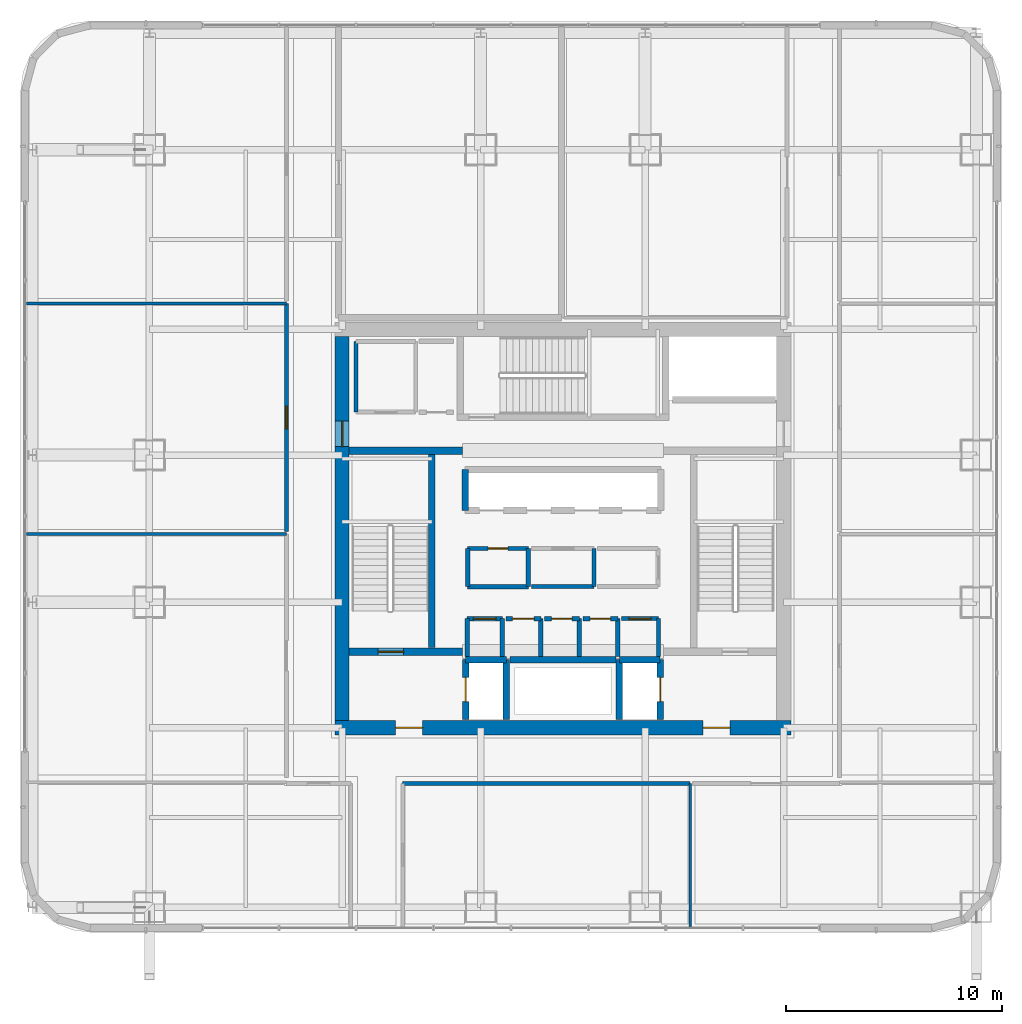
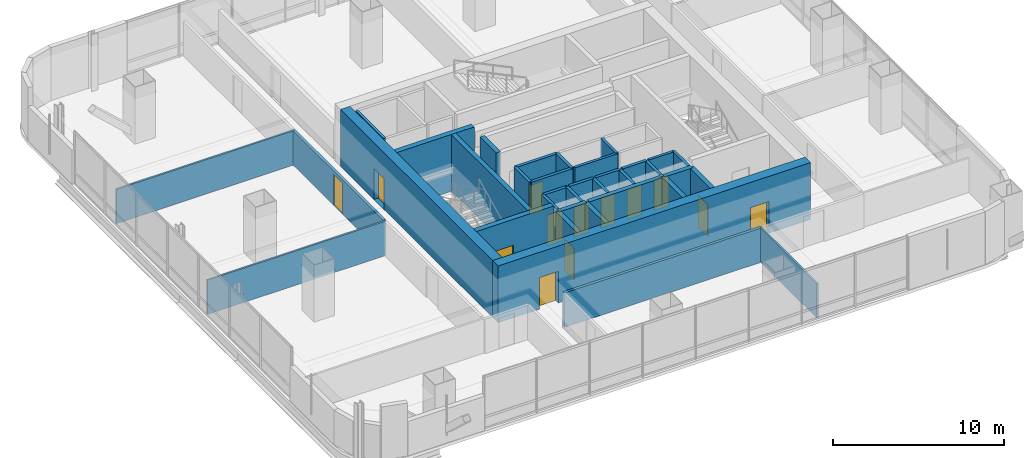
# One storey, part 33 of 47: 36 walls, 13 doors, 13 openings.
"""IFC4 building model written with IfcOpenShell, lengths in metres."""

from ifc_helpers import new_model, si_unit, direction, frame, frame_2d, origin, place, context, subcontext, project, spatial, rectangle, extrude, material, layer, layer_set, type_object, element, fill, save


model = new_model("IFC4")

# Units and contexts
model_context = context("Model", 3, precision=1e-05, world=origin(), true_north=direction((0.0, 1.0)))
body_context = subcontext(model_context, "Body", "Model", "MODEL_VIEW")
ifc_project = project(units=[si_unit("LENGTHUNIT", "METRE"), si_unit("AREAUNIT", "SQUARE_METRE"), si_unit("VOLUMEUNIT", "CUBIC_METRE"), si_unit("PLANEANGLEUNIT", "RADIAN"), si_unit("MASSUNIT", "GRAM", prefix="KILO")], contexts=[model_context])

# Site, building, storey
site_placement = place(None, origin())
site = spatial("IfcSite", under=ifc_project, at=site_placement, CompositionType="ELEMENT")
building_placement = place(site_placement, origin())
building = spatial("IfcBuilding", under=site, at=building_placement, Name="Punatoya Terracotta Tower", CompositionType="ELEMENT")
storey_placement = place(building_placement, frame((0.0, 0.0, 168.14990234375)))
storey = spatial("IfcBuildingStorey", under=building, at=storey_placement, Name="L39", CompositionType="ELEMENT", Elevation=168.14990234375)

# Wall, openings, doors
ifc_material_1 = material(Name="Concrete C60/75", Category="concrete")
ifc_layer_1 = layer(ifc_material_1, 0.64990234375)
ifc_layer_set_1 = layer_set([ifc_layer_1], Name="Concrete C60/75")
wall_type_1 = type_object("IfcWallType", Name="WL-COR-650", PredefinedType="SHEAR", material=ifc_layer_set_1)
wall_1_placement = place(storey_placement, frame((10.52490234375, -9.199951171875, 0.0), z_axis=(0.0, 0.0, 1.0), x_axis=(-1.0, 0.0, 0.0)))
wall_1 = element("IfcWall", 1, at=wall_1_placement, inside=storey, type_object=wall_type_1, Name="L39 Core Shear Wall S", PredefinedType="SHEAR", context=body_context, shape_type="SweptSolid", body=[
    extrude(rectangle(XDim=21.0498046875, YDim=0.64990234375, at=frame_2d((10.52490234375, 0.0))), origin(), (0.0, 0.0, 1.0), 4.050048828125),
])
opening_1_placement = place(wall_1_placement, frame((2.800048828125, 0.0, 0.0)))
opening_1 = element("IfcOpeningElement", 2, at=opening_1_placement, cuts=wall_1, Name="Opening FD-L1", PredefinedType="OPENING", context=body_context, shape_type="SweptSolid", body=[
    extrude(rectangle(XDim=1.25, YDim=2.25, at=frame_2d((0.625, 1.125))), frame((0.0, 0.3349609375, 0.0), z_axis=(0.0, -1.0, 0.0), x_axis=(1.0, 0.0, 0.0)), (0.0, 0.0, 1.0), 0.669921875),
])
opening_2_placement = place(wall_1_placement, frame((17.0, 0.0, 0.0)))
opening_2 = element("IfcOpeningElement", 3, at=opening_2_placement, cuts=wall_1, Name="Opening FD-L1", PredefinedType="OPENING", context=body_context, shape_type="SweptSolid", body=[
    extrude(rectangle(XDim=1.25, YDim=2.25, at=frame_2d((0.625, 1.125))), frame((0.0, 0.3349609375, 0.0), z_axis=(0.0, -1.0, 0.0), x_axis=(1.0, 0.0, 0.0)), (0.0, 0.0, 1.0), 0.669921875),
])
ifc_material_2 = material(Name="Galvanised Steel Smokeproof Fire Door", Category="steel")
door_type_1 = type_object("IfcDoorType", Name="DR-FFL-1250", OperationType="NOTDEFINED", PredefinedType="DOOR", material=ifc_material_2)
door_1_placement = place(opening_1_placement, origin())
door_1 = element("IfcDoor", 4, at=door_1_placement, inside=storey, type_object=door_type_1, Name="L39 East Firefighting Lobby Corridor Fire Door", OperationType="SINGLE_SWING_LEFT", OverallHeight=2.25, OverallWidth=1.25, PredefinedType="DOOR", context=body_context, shape_type="SweptSolid", body=[
    extrude(rectangle(XDim=1.25, YDim=2.25, at=frame_2d((0.625, 1.125))), frame((0.0, 0.02490234375, 0.0), z_axis=(0.0, -1.0, 0.0), x_axis=(1.0, 0.0, 0.0)), (0.0, 0.0, 1.0), 0.050048828125),
])
fill(opening_1, door_1)
door_2_placement = place(opening_2_placement, origin())
door_2 = element("IfcDoor", 5, at=door_2_placement, inside=storey, type_object=door_type_1, Name="L39 West Firefighting Lobby Corridor Fire Door", OperationType="SINGLE_SWING_RIGHT", OverallHeight=2.25, OverallWidth=1.25, PredefinedType="DOOR", context=body_context, shape_type="SweptSolid", body=[
    extrude(rectangle(XDim=1.25, YDim=2.25, at=frame_2d((0.625, 1.125))), frame((0.0, 0.02490234375, 0.0), z_axis=(0.0, -1.0, 0.0), x_axis=(1.0, 0.0, 0.0)), (0.0, 0.0, 1.0), 0.050048828125),
])
fill(opening_2, door_2)

# Wall, opening, door
wall_2_placement = place(storey_placement, frame((-10.199951171875, -8.875, 0.0), z_axis=(0.0, 0.0, 1.0), x_axis=(0.0, 1.0, 0.0)))
wall_2 = element("IfcWall", 6, at=wall_2_placement, inside=storey, type_object=wall_type_1, Name="L39 Core Shear Wall W", PredefinedType="SHEAR", context=body_context, shape_type="SweptSolid", body=[
    extrude(rectangle(XDim=17.75, YDim=0.64990234375, at=frame_2d((8.875, 0.0))), origin(), (0.0, 0.0, 1.0), 4.050048828125),
])
opening_3_placement = place(wall_2_placement, frame((12.6650390625, 0.0, 0.0)))
opening_3 = element("IfcOpeningElement", 7, at=opening_3_placement, cuts=wall_2, Name="Opening SD-01", PredefinedType="OPENING", context=body_context, shape_type="SweptSolid", body=[
    extrude(rectangle(XDim=1.179931640625, YDim=2.199951171875, at=frame_2d((0.58984375, 1.10009765625))), frame((0.0, 0.3349609375, 0.0), z_axis=(0.0, -1.0, 0.0), x_axis=(1.0, 0.0, 0.0)), (0.0, 0.0, 1.0), 0.669921875),
])
ifc_material_3 = material(Name="Galvanised Steel Pressurized Stair Fire Door", Category="steel")
door_type_2 = type_object("IfcDoorType", Name="DR-STR-1180", OperationType="NOTDEFINED", PredefinedType="DOOR", material=ifc_material_3)
door_3_placement = place(opening_3_placement, origin())
door_3 = element("IfcDoor", 8, at=door_3_placement, inside=storey, type_object=door_type_2, Name="L39 Central Lift Lobby West Fire Door", OperationType="SINGLE_SWING_LEFT", OverallHeight=2.199951171875, OverallWidth=1.179931640625, PredefinedType="DOOR", context=body_context, shape_type="SweptSolid", body=[
    extrude(rectangle(XDim=1.179931640625, YDim=2.199951171875, at=frame_2d((0.58984375, 1.10009765625))), frame((0.0, 0.02490234375, 0.0), z_axis=(0.0, -1.0, 0.0), x_axis=(1.0, 0.0, 0.0)), (0.0, 0.0, 1.0), 0.050048828125),
])
fill(opening_3, door_3)

# Wall
ifc_material_4 = material(Name="Gypsum Fireboard + Steel Stud", Category="steel")
ifc_layer_2 = layer(ifc_material_4, 0.179931640625)
ifc_layer_set_2 = layer_set([ifc_layer_2], Name="Gypsum Fireboard + Steel Stud")
wall_type_2 = type_object("IfcWallType", Name="WL-CORR-180", PredefinedType="PARTITIONING", material=ifc_layer_set_2)
wall_3_placement = place(storey_placement, frame((4.419921875, -5.89990234375, 0.0), z_axis=(0.0, 0.0, 1.0), x_axis=(0.0, 1.0, 0.0)))
element("IfcWall", 9, at=wall_3_placement, inside=storey, type_object=wall_type_2, Name="L39 Core Focus Booth Partition 10", PredefinedType="PARTITIONING", context=body_context, shape_type="SweptSolid", body=[
    extrude(rectangle(XDim=1.739990234375, YDim=0.179931640625, at=frame_2d((0.8701171875, 0.0))), origin(), (0.0, 0.0, 1.0), 3.77001953125),
])

# Wall, opening, door
wall_4_placement = place(storey_placement, frame((4.419921875, -4.159912109375, 0.0), z_axis=(0.0, 0.0, 1.0), x_axis=(-1.0, 0.0, 0.0)))
wall_4 = element("IfcWall", 10, at=wall_4_placement, inside=storey, type_object=wall_type_2, Name="L39 Core Focus Booth Partition 11", PredefinedType="PARTITIONING", context=body_context, shape_type="SweptSolid", body=[
    extrude(rectangle(XDim=1.719970703125, YDim=0.179931640625, at=frame_2d((0.85986328125, 0.0))), origin(), (0.0, 0.0, 1.0), 3.77001953125),
])
opening_4_placement = place(wall_4_placement, frame((0.35009765625, 0.0, 0.0)))
opening_4 = element("IfcOpeningElement", 11, at=opening_4_placement, cuts=wall_4, Name="Opening MD-01", PredefinedType="OPENING", context=body_context, shape_type="SweptSolid", body=[
    extrude(rectangle(XDim=1.02001953125, YDim=2.199951171875, at=frame_2d((0.510009765625, 1.10009765625))), frame((0.0, 0.099853515625, 0.0), z_axis=(0.0, -1.0, 0.0), x_axis=(1.0, 0.0, 0.0)), (0.0, 0.0, 1.0), 0.199951171875),
])
ifc_material_5 = material(Name="Aluminium + Acoustic Glass Leaf", Category="aluminium")
door_type_3 = type_object("IfcDoorType", Name="DR-MTG-1020", OperationType="NOTDEFINED", PredefinedType="DOOR", material=ifc_material_5)
door_4_placement = place(opening_4_placement, origin())
door_4 = element("IfcDoor", 12, at=door_4_placement, inside=storey, type_object=door_type_3, Name="L39 Focus Booth Door", OperationType="SINGLE_SWING_RIGHT", OverallHeight=2.199951171875, OverallWidth=1.02001953125, PredefinedType="DOOR", context=body_context, shape_type="SweptSolid", body=[
    extrude(rectangle(XDim=1.02001953125, YDim=2.199951171875, at=frame_2d((0.510009765625, 1.10009765625))), frame((0.0, 0.02490234375, 0.0), z_axis=(0.0, -1.0, 0.0), x_axis=(1.0, 0.0, 0.0)), (0.0, 0.0, 1.0), 0.050048828125),
])
fill(opening_4, door_4)

# Walls
wall_5_placement = place(storey_placement, frame((1.43994140625, -2.679931640625, 0.0), z_axis=(0.0, 0.0, 1.0), x_axis=(0.0, 1.0, 0.0)))
element("IfcWall", 13, at=wall_5_placement, inside=storey, type_object=wall_type_2, Name="L39 Center Core Briefing Pod Partition 16", PredefinedType="PARTITIONING", context=body_context, shape_type="SweptSolid", body=[
    extrude(rectangle(XDim=1.760009765625, YDim=0.179931640625, at=frame_2d((0.8798828125, 0.0))), origin(), (0.0, 0.0, 1.0), 3.77001953125),
])
wall_6_placement = place(storey_placement, frame((-1.43994140625, -2.679931640625, 0.0), z_axis=(0.0, 0.0, 1.0), x_axis=(1.0, 0.0, 0.0)))
element("IfcWall", 14, at=wall_6_placement, inside=storey, type_object=wall_type_2, Name="L39 Center Core Briefing Pod Partition 18", PredefinedType="PARTITIONING", context=body_context, shape_type="SweptSolid", body=[
    extrude(rectangle(XDim=2.8798828125, YDim=0.179931640625, at=frame_2d((1.43994140625, 0.0))), origin(), (0.0, 0.0, 1.0), 3.77001953125),
])
wall_7_placement = place(storey_placement, frame((-9.550048828125, 8.64990234375, 0.0), z_axis=(0.0, 0.0, 1.0), x_axis=(0.0, -1.0, 0.0)))
element("IfcWall", 15, at=wall_7_placement, inside=storey, type_object=wall_type_2, Name="L39 West Core Briefing Pod Partition 24", PredefinedType="PARTITIONING", context=body_context, shape_type="SweptSolid", body=[
    extrude(rectangle(XDim=3.27001953125, YDim=0.179931640625, at=frame_2d((1.635009765625, 0.0))), origin(), (0.0, 0.0, 1.0), 3.77001953125),
])
wall_8_placement = place(storey_placement, frame((-7.39990234375, -11.77001953125, 0.0), z_axis=(0.0, 0.0, 1.0), x_axis=(1.0, 0.0, 0.0)))
element("IfcWall", 16, at=wall_8_placement, inside=storey, type_object=wall_type_2, Name="L39 Open-Plan Staff Wellness Studio Partition 29", PredefinedType="PARTITIONING", context=body_context, shape_type="SweptSolid", body=[
    extrude(rectangle(XDim=13.27392578125, YDim=0.179931640625, at=frame_2d((6.636962890625, 0.0))), origin(), (0.0, 0.0, 1.0), 2.444091796875),
])

# Wall, opening, door
wall_9_placement = place(storey_placement, frame((-12.77001953125, 10.39990234375, 0.0), z_axis=(0.0, 0.0, 1.0), x_axis=(0.0, -1.0, 0.0)))
wall_9 = element("IfcWall", 17, at=wall_9_placement, inside=storey, type_object=wall_type_2, Name="L39 Open-Plan Mindfulness Wellness Room Partition 41", PredefinedType="PARTITIONING", context=body_context, shape_type="SweptSolid", body=[
    extrude(rectangle(XDim=10.52978515625, YDim=0.179931640625, at=frame_2d((5.264892578125, 0.0))), origin(), (0.0, 0.0, 1.0), 2.444091796875),
])
opening_5_placement = place(wall_9_placement, frame((4.739990234375, 0.0, 0.0)))
opening_5 = element("IfcOpeningElement", 18, at=opening_5_placement, cuts=wall_9, Name="Opening OD-01", PredefinedType="OPENING", context=body_context, shape_type="SweptSolid", body=[
    extrude(rectangle(XDim=1.050048828125, YDim=2.199951171875, at=frame_2d((0.52490234375, 1.10009765625))), frame((0.0, 0.099853515625, 0.0), z_axis=(0.0, -1.0, 0.0), x_axis=(1.0, 0.0, 0.0)), (0.0, 0.0, 1.0), 0.199951171875),
])
ifc_material_6 = material(Name="Bengal Teak Solid-Core Leaf")
door_type_4 = type_object("IfcDoorType", Name="DR-OFF-1050", OperationType="NOTDEFINED", PredefinedType="DOOR", material=ifc_material_6)
door_5_placement = place(opening_5_placement, origin())
door_5 = element("IfcDoor", 19, at=door_5_placement, inside=storey, type_object=door_type_4, Name="L39 Open-Plan Mindfulness Wellness Room Door", OperationType="SINGLE_SWING_LEFT", OverallHeight=2.199951171875, OverallWidth=1.050048828125, PredefinedType="DOOR", context=body_context, shape_type="SweptSolid", body=[
    extrude(rectangle(XDim=1.050048828125, YDim=2.199951171875, at=frame_2d((0.52490234375, 1.10009765625))), frame((0.0, 0.02490234375, 0.0), z_axis=(0.0, -1.0, 0.0), x_axis=(1.0, 0.0, 0.0)), (0.0, 0.0, 1.0), 0.050048828125),
])
fill(opening_5, door_5)

# Wall
ifc_material_7 = material(Name="Concrete C40/50", Category="concrete")
ifc_layer_3 = layer(ifc_material_7, 0.199951171875)
ifc_layer_set_3 = layer_set([ifc_layer_3], Name="Concrete C40/50")
wall_type_3 = type_object("IfcWallType", Name="WL-INT-200", PredefinedType="SOLIDWALL", material=ifc_layer_set_3)
wall_10_placement = place(storey_placement, frame((-2.800048828125, -5.89990234375, 0.0), z_axis=(0.0, 0.0, 1.0), x_axis=(0.0, 1.0, 0.0)))
element("IfcWall", 20, at=wall_10_placement, inside=storey, type_object=wall_type_3, Name="L39 Core Tea Pantry Partition 01", PredefinedType="SOLIDWALL", context=body_context, shape_type="SweptSolid", body=[
    extrude(rectangle(XDim=1.739990234375, YDim=0.199951171875, at=frame_2d((0.8701171875, 0.0))), origin(), (0.0, 0.0, 1.0), 3.77001953125),
])

# Wall, opening, door
wall_11_placement = place(storey_placement, frame((-2.800048828125, -4.159912109375, 0.0), z_axis=(0.0, 0.0, 1.0), x_axis=(-1.0, 0.0, 0.0)))
wall_11 = element("IfcWall", 21, at=wall_11_placement, inside=storey, type_object=wall_type_3, Name="L39 Core Tea Pantry Partition 02", PredefinedType="SOLIDWALL", context=body_context, shape_type="SweptSolid", body=[
    extrude(rectangle(XDim=1.619873046875, YDim=0.199951171875, at=frame_2d((0.81005859375, 0.0))), origin(), (0.0, 0.0, 1.0), 3.77001953125),
])
opening_6_placement = place(wall_11_placement, frame((0.284912109375, 0.0, 0.0)))
opening_6 = element("IfcOpeningElement", 22, at=opening_6_placement, cuts=wall_11, Name="Opening OD-01", PredefinedType="OPENING", context=body_context, shape_type="SweptSolid", body=[
    extrude(rectangle(XDim=1.050048828125, YDim=2.199951171875, at=frame_2d((0.52490234375, 1.10009765625))), frame((0.0, 0.10986328125, 0.0), z_axis=(0.0, -1.0, 0.0), x_axis=(1.0, 0.0, 0.0)), (0.0, 0.0, 1.0), 0.219970703125),
])
door_6_placement = place(opening_6_placement, origin())
door_6 = element("IfcDoor", 23, at=door_6_placement, inside=storey, type_object=door_type_4, Name="L39 Tea Pantry Door", OperationType="SINGLE_SWING_RIGHT", OverallHeight=2.199951171875, OverallWidth=1.050048828125, PredefinedType="DOOR", context=body_context, shape_type="SweptSolid", body=[
    extrude(rectangle(XDim=1.050048828125, YDim=2.199951171875, at=frame_2d((0.52490234375, 1.10009765625))), frame((0.0, 0.02490234375, 0.0), z_axis=(0.0, -1.0, 0.0), x_axis=(1.0, 0.0, 0.0)), (0.0, 0.0, 1.0), 0.050048828125),
])
fill(opening_6, door_6)

# Walls
for number, where, z_axis, x_axis, name in (
    (24, (-4.419921875, -4.159912109375, 0.0), (0.0, 0.0, 1.0), (0.0, -1.0, 0.0), "L39 Core Tea Pantry Partition 03"),
    (25, (-1.02001953125, -5.89990234375, 0.0), (0.0, 0.0, 1.0), (0.0, 1.0, 0.0), "L39 Accessible Washroom Partition 04"),
):
    element("IfcWall", number, at=place(storey_placement, frame(where, z_axis=z_axis, x_axis=x_axis)), inside=storey, type_object=wall_type_3, Name=name, PredefinedType="SOLIDWALL", context=body_context, shape_type="SweptSolid", body=[
        extrude(rectangle(XDim=1.739990234375, YDim=0.199951171875, at=frame_2d((0.8701171875, 0.0))), origin(), (0.0, 0.0, 1.0), 3.77001953125),
    ])

# Wall, opening, door
wall_12_placement = place(storey_placement, frame((-1.02001953125, -4.159912109375, 0.0), z_axis=(0.0, 0.0, 1.0), x_axis=(-1.0, 0.0, 0.0)))
wall_12 = element("IfcWall", 26, at=wall_12_placement, inside=storey, type_object=wall_type_3, Name="L39 Accessible Washroom Partition 05", PredefinedType="SOLIDWALL", context=body_context, shape_type="SweptSolid", body=[
    extrude(rectangle(XDim=1.619873046875, YDim=0.199951171875, at=frame_2d((0.81005859375, 0.0))), origin(), (0.0, 0.0, 1.0), 3.77001953125),
])
opening_7_placement = place(wall_12_placement, frame((0.31005859375, 0.0, 0.0)))
opening_7 = element("IfcOpeningElement", 27, at=opening_7_placement, cuts=wall_12, Name="Opening AWD-1", PredefinedType="OPENING", context=body_context, shape_type="SweptSolid", body=[
    extrude(rectangle(XDim=1.0, YDim=2.14990234375, at=frame_2d((0.5, 1.074951171875))), frame((0.0, 0.10986328125, 0.0), z_axis=(0.0, -1.0, 0.0), x_axis=(1.0, 0.0, 0.0)), (0.0, 0.0, 1.0), 0.219970703125),
])
ifc_material_8 = material(Name="Bengal Teak Accessible WC Leaf")
door_type_5 = type_object("IfcDoorType", Name="DR-ACC-1000", OperationType="NOTDEFINED", PredefinedType="DOOR", material=ifc_material_8)
door_7_placement = place(opening_7_placement, origin())
door_7 = element("IfcDoor", 28, at=door_7_placement, inside=storey, type_object=door_type_5, Name="L39 Accessible Washroom Door", OperationType="SINGLE_SWING_LEFT", OverallHeight=2.14990234375, OverallWidth=1.0, PredefinedType="DOOR", context=body_context, shape_type="SweptSolid", body=[
    extrude(rectangle(XDim=1.0, YDim=2.14990234375, at=frame_2d((0.5, 1.074951171875))), frame((0.0, 0.02490234375, 0.0), z_axis=(0.0, -1.0, 0.0), x_axis=(1.0, 0.0, 0.0)), (0.0, 0.0, 1.0), 0.050048828125),
])
fill(opening_7, door_7)

# Wall
wall_13_placement = place(storey_placement, frame((0.760009765625, -5.89990234375, 0.0), z_axis=(0.0, 0.0, 1.0), x_axis=(0.0, 1.0, 0.0)))
element("IfcWall", 29, at=wall_13_placement, inside=storey, type_object=wall_type_3, Name="L39 Female Washroom Partition 06", PredefinedType="SOLIDWALL", context=body_context, shape_type="SweptSolid", body=[
    extrude(rectangle(XDim=1.739990234375, YDim=0.199951171875, at=frame_2d((0.8701171875, 0.0))), origin(), (0.0, 0.0, 1.0), 3.77001953125),
])

# Wall, opening, door
wall_14_placement = place(storey_placement, frame((0.760009765625, -4.159912109375, 0.0), z_axis=(0.0, 0.0, 1.0), x_axis=(-1.0, 0.0, 0.0)))
wall_14 = element("IfcWall", 30, at=wall_14_placement, inside=storey, type_object=wall_type_3, Name="L39 Female Washroom Partition 07", PredefinedType="SOLIDWALL", context=body_context, shape_type="SweptSolid", body=[
    extrude(rectangle(XDim=1.6201171875, YDim=0.199951171875, at=frame_2d((0.81005859375, 0.0))), origin(), (0.0, 0.0, 1.0), 3.77001953125),
])
opening_8_placement = place(wall_14_placement, frame((0.3349609375, 0.0, 0.0)))
opening_8 = element("IfcOpeningElement", 31, at=opening_8_placement, cuts=wall_14, Name="Opening WD-01", PredefinedType="OPENING", context=body_context, shape_type="SweptSolid", body=[
    extrude(rectangle(XDim=0.949951171875, YDim=2.14990234375, at=frame_2d((0.47509765625, 1.074951171875))), frame((0.0, 0.10986328125, 0.0), z_axis=(0.0, -1.0, 0.0), x_axis=(1.0, 0.0, 0.0)), (0.0, 0.0, 1.0), 0.219970703125),
])
ifc_material_9 = material(Name="Moisture-Resistant Laminate Timber Leaf", Category="wood")
door_type_6 = type_object("IfcDoorType", Name="DR-WC-950", OperationType="NOTDEFINED", PredefinedType="DOOR", material=ifc_material_9)
door_8_placement = place(opening_8_placement, origin())
door_8 = element("IfcDoor", 32, at=door_8_placement, inside=storey, type_object=door_type_6, Name="L39 Female Washroom Door", OperationType="SINGLE_SWING_RIGHT", OverallHeight=2.14990234375, OverallWidth=0.949951171875, PredefinedType="DOOR", context=body_context, shape_type="SweptSolid", body=[
    extrude(rectangle(XDim=0.949951171875, YDim=2.14990234375, at=frame_2d((0.47509765625, 1.074951171875))), frame((0.0, 0.02490234375, 0.0), z_axis=(0.0, -1.0, 0.0), x_axis=(1.0, 0.0, 0.0)), (0.0, 0.0, 1.0), 0.050048828125),
])
fill(opening_8, door_8)

# Wall
wall_15_placement = place(storey_placement, frame((2.5400390625, -5.89990234375, 0.0), z_axis=(0.0, 0.0, 1.0), x_axis=(0.0, 1.0, 0.0)))
element("IfcWall", 33, at=wall_15_placement, inside=storey, type_object=wall_type_3, Name="L39 Male Washroom Partition 08", PredefinedType="SOLIDWALL", context=body_context, shape_type="SweptSolid", body=[
    extrude(rectangle(XDim=1.739990234375, YDim=0.199951171875, at=frame_2d((0.8701171875, 0.0))), origin(), (0.0, 0.0, 1.0), 3.77001953125),
])

# Wall, opening, door
wall_16_placement = place(storey_placement, frame((2.5400390625, -4.159912109375, 0.0), z_axis=(0.0, 0.0, 1.0), x_axis=(-1.0, 0.0, 0.0)))
wall_16 = element("IfcWall", 34, at=wall_16_placement, inside=storey, type_object=wall_type_3, Name="L39 Male Washroom Partition 09", PredefinedType="SOLIDWALL", context=body_context, shape_type="SweptSolid", body=[
    extrude(rectangle(XDim=1.6201171875, YDim=0.199951171875, at=frame_2d((0.81005859375, 0.0))), origin(), (0.0, 0.0, 1.0), 3.77001953125),
])
opening_9_placement = place(wall_16_placement, frame((0.3349609375, 0.0, 0.0)))
opening_9 = element("IfcOpeningElement", 35, at=opening_9_placement, cuts=wall_16, Name="Opening WD-01", PredefinedType="OPENING", context=body_context, shape_type="SweptSolid", body=[
    extrude(rectangle(XDim=0.949951171875, YDim=2.14990234375, at=frame_2d((0.47509765625, 1.074951171875))), frame((0.0, 0.10986328125, 0.0), z_axis=(0.0, -1.0, 0.0), x_axis=(1.0, 0.0, 0.0)), (0.0, 0.0, 1.0), 0.219970703125),
])
door_9_placement = place(opening_9_placement, origin())
door_9 = element("IfcDoor", 36, at=door_9_placement, inside=storey, type_object=door_type_6, Name="L39 Male Washroom Door", OperationType="SINGLE_SWING_LEFT", OverallHeight=2.14990234375, OverallWidth=0.949951171875, PredefinedType="DOOR", context=body_context, shape_type="SweptSolid", body=[
    extrude(rectangle(XDim=0.949951171875, YDim=2.14990234375, at=frame_2d((0.47509765625, 1.074951171875))), frame((0.0, 0.02490234375, 0.0), z_axis=(0.0, -1.0, 0.0), x_axis=(1.0, 0.0, 0.0)), (0.0, 0.0, 1.0), 0.050048828125),
])
fill(opening_9, door_9)

# Wall
wall_17_placement = place(storey_placement, frame((-1.60009765625, -2.679931640625, 0.0), z_axis=(0.0, 0.0, 1.0), x_axis=(0.0, 1.0, 0.0)))
element("IfcWall", 37, at=wall_17_placement, inside=storey, type_object=wall_type_3, Name="L39 Left Core Store Partition 12", PredefinedType="SOLIDWALL", context=body_context, shape_type="SweptSolid", body=[
    extrude(rectangle(XDim=1.760009765625, YDim=0.199951171875, at=frame_2d((0.8798828125, 0.0))), origin(), (0.0, 0.0, 1.0), 3.77001953125),
])

# Wall, opening, door
wall_18_placement = place(storey_placement, frame((-1.60009765625, -0.919921875, 0.0), z_axis=(0.0, 0.0, 1.0), x_axis=(-1.0, 0.0, 0.0)))
wall_18 = element("IfcWall", 38, at=wall_18_placement, inside=storey, type_object=wall_type_3, Name="L39 Left Core Store Partition 13", PredefinedType="SOLIDWALL", context=body_context, shape_type="SweptSolid", body=[
    extrude(rectangle(XDim=2.7998046875, YDim=0.199951171875, at=frame_2d((1.39990234375, 0.0))), origin(), (0.0, 0.0, 1.0), 3.77001953125),
])
opening_10_placement = place(wall_18_placement, frame((0.93994140625, 0.0, 0.0)))
opening_10 = element("IfcOpeningElement", 39, at=opening_10_placement, cuts=wall_18, Name="Opening FD-R1", PredefinedType="OPENING", context=body_context, shape_type="SweptSolid", body=[
    extrude(rectangle(XDim=0.919921875, YDim=2.10009765625, at=frame_2d((0.4599609375, 1.050048828125))), frame((0.0, 0.10986328125, 0.0), z_axis=(0.0, -1.0, 0.0), x_axis=(1.0, 0.0, 0.0)), (0.0, 0.0, 1.0), 0.219970703125),
])
ifc_material_10 = material(Name="Galvanised Steel Riser Fire Access Door", Category="steel")
door_type_7 = type_object("IfcDoorType", Name="DR-RSR-920", OperationType="NOTDEFINED", PredefinedType="DOOR", material=ifc_material_10)
door_10_placement = place(opening_10_placement, origin())
door_10 = element("IfcDoor", 40, at=door_10_placement, inside=storey, type_object=door_type_7, Name="L39 Left Core Store Fire Door", OperationType="SINGLE_SWING_LEFT", OverallHeight=2.10009765625, OverallWidth=0.919921875, PredefinedType="DOOR", context=body_context, shape_type="SweptSolid", body=[
    extrude(rectangle(XDim=0.919921875, YDim=2.10009765625, at=frame_2d((0.4599609375, 1.050048828125))), frame((0.0, 0.02490234375, 0.0), z_axis=(0.0, -1.0, 0.0), x_axis=(1.0, 0.0, 0.0)), (0.0, 0.0, 1.0), 0.050048828125),
])
fill(opening_10, door_10)

# Walls
wall_19_placement = place(storey_placement, frame((-4.39990234375, -0.919921875, 0.0), z_axis=(0.0, 0.0, 1.0), x_axis=(0.0, -1.0, 0.0)))
element("IfcWall", 41, at=wall_19_placement, inside=storey, type_object=wall_type_3, Name="L39 Left Core Store Partition 14", PredefinedType="SOLIDWALL", context=body_context, shape_type="SweptSolid", body=[
    extrude(rectangle(XDim=1.760009765625, YDim=0.199951171875, at=frame_2d((0.8798828125, 0.0))), origin(), (0.0, 0.0, 1.0), 3.77001953125),
])
wall_20_placement = place(storey_placement, frame((-4.39990234375, -2.679931640625, 0.0), z_axis=(0.0, 0.0, 1.0), x_axis=(1.0, 0.0, 0.0)))
element("IfcWall", 42, at=wall_20_placement, inside=storey, type_object=wall_type_3, Name="L39 Left Core Store Partition 15", PredefinedType="SOLIDWALL", context=body_context, shape_type="SweptSolid", body=[
    extrude(rectangle(XDim=2.7998046875, YDim=0.199951171875, at=frame_2d((1.39990234375, 0.0))), origin(), (0.0, 0.0, 1.0), 3.77001953125),
])
ifc_material_11 = material(Name="Gypsum Partition + Steel Stud", Category="steel")
ifc_layer_4 = layer(ifc_material_11, 0.1201171875)
ifc_layer_set_4 = layer_set([ifc_layer_4], Name="Gypsum Partition + Steel Stud")
wall_type_4 = type_object("IfcWallType", Name="WL-OFF-120", PredefinedType="PARTITIONING", material=ifc_layer_set_4)
wall_21_placement = place(storey_placement, frame((5.8740234375, -11.77001953125, 0.0), z_axis=(0.0, 0.0, 1.0), x_axis=(0.0, -1.0, 0.0)))
element("IfcWall", 43, at=wall_21_placement, inside=storey, type_object=wall_type_4, Name="L39 Open-Plan Staff Wellness Studio Partition 30", PredefinedType="PARTITIONING", context=body_context, shape_type="SweptSolid", body=[
    extrude(rectangle(XDim=6.60009765625, YDim=0.1201171875, at=frame_2d((3.300048828125, 0.0))), origin(), (0.0, 0.0, 1.0), 2.444091796875),
])
for number, where, z_axis, x_axis, name in (
    (44, (-24.77001953125, -0.25, 0.0), (0.0, 0.0, 1.0), (1.0, 0.0, 0.0), "L39 Open-Plan Leadership Training Classroom Partition 36"),
    (45, (-24.77001953125, 10.39990234375, 0.0), (0.0, 0.0, 1.0), (1.0, 0.0, 0.0), "L39 Open-Plan Mindfulness Wellness Room Partition 40"),
):
    element("IfcWall", number, at=place(storey_placement, frame(where, z_axis=z_axis, x_axis=x_axis)), inside=storey, type_object=wall_type_4, Name=name, PredefinedType="PARTITIONING", context=body_context, shape_type="SweptSolid", body=[
        extrude(rectangle(XDim=12.0, YDim=0.1201171875, at=frame_2d((6.0, 0.0))), origin(), (0.0, 0.0, 1.0), 2.444091796875),
    ])
ifc_layer_5 = layer(ifc_material_7, 0.300048828125)
ifc_layer_set_5 = layer_set([ifc_layer_5], Name="Concrete C40/50")
wall_type_5 = type_object("IfcWallType", Name="WL-SHF-300", PredefinedType="SOLIDWALL", material=ifc_layer_set_5)
wall_22_placement = place(storey_placement, frame((-6.050048828125, -5.5, 0.0), z_axis=(0.0, 0.0, 1.0), x_axis=(0.0, 1.0, 0.0)))
element("IfcWall", 46, at=wall_22_placement, inside=storey, type_object=wall_type_5, Name="L39 Structural Stair Shaft Wall SW-ST1-E", PredefinedType="SOLIDWALL", context=body_context, shape_type="SweptSolid", body=[
    extrude(rectangle(XDim=8.949951171875, YDim=0.300048828125, at=frame_2d((4.47509765625, 0.0))), origin(), (0.0, 0.0, 1.0), 4.050048828125),
])

# Wall, opening, door
wall_23_placement = place(storey_placement, frame((-4.489990234375, -8.820068359375, 0.0), z_axis=(0.0, 0.0, 1.0), x_axis=(0.0, 1.0, 0.0)))
wall_23 = element("IfcWall", 47, at=wall_23_placement, inside=storey, type_object=wall_type_5, Name="L39 FFL-1 Front Hoistway Wall", PredefinedType="SOLIDWALL", context=body_context, shape_type="SweptSolid", body=[
    extrude(rectangle(XDim=2.77001953125, YDim=0.300048828125, at=frame_2d((1.385009765625, 0.0))), origin(), (0.0, 0.0, 1.0), 3.77001953125),
])
opening_11_placement = place(wall_23_placement, frame((0.824951171875, 0.0, 0.0)))
opening_11 = element("IfcOpeningElement", 48, at=opening_11_placement, cuts=wall_23, Name="Opening LD-02", PredefinedType="OPENING", context=body_context, shape_type="SweptSolid", body=[
    extrude(rectangle(XDim=1.1201171875, YDim=2.25, at=frame_2d((0.56005859375, 1.125))), frame((0.0, 0.159912109375, 0.0), z_axis=(0.0, -1.0, 0.0), x_axis=(1.0, 0.0, 0.0)), (0.0, 0.0, 1.0), 0.320068359375),
])
ifc_material_12 = material(Name="Stainless Steel Lift Landing Door", Category="steel")
door_type_8 = type_object("IfcDoorType", Name="DR-LND-1120", OperationType="NOTDEFINED", PredefinedType="DOOR", material=ifc_material_12)
door_11_placement = place(opening_11_placement, origin())
door_11 = element("IfcDoor", 49, at=door_11_placement, inside=storey, type_object=door_type_8, Name="L39 Firefighting Lift FFL-1 Sliding Landing Door", OperationType="SLIDING_TO_LEFT", OverallHeight=2.25, OverallWidth=1.1201171875, PredefinedType="DOOR", context=body_context, shape_type="SweptSolid", body=[
    extrude(rectangle(XDim=1.1201171875, YDim=2.25, at=frame_2d((0.56005859375, 1.125))), frame((0.0, 0.02490234375, 0.0), z_axis=(0.0, -1.0, 0.0), x_axis=(1.0, 0.0, 0.0)), (0.0, 0.0, 1.0), 0.050048828125),
])
fill(opening_11, door_11)

# Walls
wall_24_placement = place(storey_placement, frame((-2.610107421875, -8.820068359375, 0.0), z_axis=(0.0, 0.0, 1.0), x_axis=(0.0, 1.0, 0.0)))
element("IfcWall", 50, at=wall_24_placement, inside=storey, type_object=wall_type_5, Name="L39 FFL-1 Rear Hoistway Wall", PredefinedType="SOLIDWALL", context=body_context, shape_type="SweptSolid", body=[
    extrude(rectangle(XDim=2.77001953125, YDim=0.300048828125, at=frame_2d((1.385009765625, 0.0))), origin(), (0.0, 0.0, 1.0), 3.77001953125),
])
wall_25_placement = place(storey_placement, frame((-4.489990234375, -6.050048828125, 0.0), z_axis=(0.0, 0.0, 1.0), x_axis=(1.0, 0.0, 0.0)))
element("IfcWall", 51, at=wall_25_placement, inside=storey, type_object=wall_type_5, Name="L39 FFL-1 North Hoistway Wall", PredefinedType="SOLIDWALL", context=body_context, shape_type="SweptSolid", body=[
    extrude(rectangle(XDim=1.8798828125, YDim=0.300048828125, at=frame_2d((0.93994140625, 0.0))), origin(), (0.0, 0.0, 1.0), 3.77001953125),
])

# Wall, opening, door
wall_26_placement = place(storey_placement, frame((4.489990234375, -8.820068359375, 0.0), z_axis=(0.0, 0.0, 1.0), x_axis=(0.0, 1.0, 0.0)))
wall_26 = element("IfcWall", 52, at=wall_26_placement, inside=storey, type_object=wall_type_5, Name="L39 FFL-2 Front Hoistway Wall", PredefinedType="SOLIDWALL", context=body_context, shape_type="SweptSolid", body=[
    extrude(rectangle(XDim=2.77001953125, YDim=0.300048828125, at=frame_2d((1.385009765625, 0.0))), origin(), (0.0, 0.0, 1.0), 3.77001953125),
])
opening_12_placement = place(wall_26_placement, frame((0.824951171875, 0.0, 0.0)))
opening_12 = element("IfcOpeningElement", 53, at=opening_12_placement, cuts=wall_26, Name="Opening LD-02", PredefinedType="OPENING", context=body_context, shape_type="SweptSolid", body=[
    extrude(rectangle(XDim=1.1201171875, YDim=2.25, at=frame_2d((0.56005859375, 1.125))), frame((0.0, 0.159912109375, 0.0), z_axis=(0.0, -1.0, 0.0), x_axis=(1.0, 0.0, 0.0)), (0.0, 0.0, 1.0), 0.320068359375),
])
door_12_placement = place(opening_12_placement, origin())
door_12 = element("IfcDoor", 54, at=door_12_placement, inside=storey, type_object=door_type_8, Name="L39 Firefighting Lift FFL-2 Sliding Landing Door", OperationType="SLIDING_TO_RIGHT", OverallHeight=2.25, OverallWidth=1.1201171875, PredefinedType="DOOR", context=body_context, shape_type="SweptSolid", body=[
    extrude(rectangle(XDim=1.1201171875, YDim=2.25, at=frame_2d((0.56005859375, 1.125))), frame((0.0, 0.02490234375, 0.0), z_axis=(0.0, -1.0, 0.0), x_axis=(1.0, 0.0, 0.0)), (0.0, 0.0, 1.0), 0.050048828125),
])
fill(opening_12, door_12)

# Walls
wall_27_placement = place(storey_placement, frame((2.610107421875, -8.820068359375, 0.0), z_axis=(0.0, 0.0, 1.0), x_axis=(0.0, 1.0, 0.0)))
element("IfcWall", 55, at=wall_27_placement, inside=storey, type_object=wall_type_5, Name="L39 FFL-2 Rear Hoistway Wall", PredefinedType="SOLIDWALL", context=body_context, shape_type="SweptSolid", body=[
    extrude(rectangle(XDim=2.77001953125, YDim=0.300048828125, at=frame_2d((1.385009765625, 0.0))), origin(), (0.0, 0.0, 1.0), 3.77001953125),
])
for number, where, z_axis, x_axis, name in (
    (56, (2.610107421875, -6.050048828125, 0.0), (0.0, 0.0, 1.0), (1.0, 0.0, 0.0), "L39 FFL-2 North Hoistway Wall"),
    (57, (-4.52001953125, 0.840087890625, 0.0), (0.0, 0.0, 1.0), (0.0, 1.0, 0.0), "L39 North Lift Bank West End Wall"),
):
    element("IfcWall", number, at=place(storey_placement, frame(where, z_axis=z_axis, x_axis=x_axis)), inside=storey, type_object=wall_type_5, Name=name, PredefinedType="SOLIDWALL", context=body_context, shape_type="SweptSolid", body=[
        extrude(rectangle(XDim=1.8798828125, YDim=0.300048828125, at=frame_2d((0.93994140625, 0.0))), origin(), (0.0, 0.0, 1.0), 3.77001953125),
    ])
wall_28_placement = place(storey_placement, frame((-2.449951171875, -6.050048828125, 0.0), z_axis=(0.0, 0.0, 1.0), x_axis=(1.0, 0.0, 0.0)))
element("IfcWall", 58, at=wall_28_placement, inside=storey, type_object=wall_type_5, Name="L39 Observation Shuttle Rear Hoistway Wall", PredefinedType="SOLIDWALL", context=body_context, shape_type="SweptSolid", body=[
    extrude(rectangle(XDim=4.89990234375, YDim=0.300048828125, at=frame_2d((2.449951171875, 0.0))), origin(), (0.0, 0.0, 1.0), 3.77001953125),
])

# Wall, opening, door
ifc_material_13 = material(Name="Concrete C50/60", Category="concrete")
ifc_layer_6 = layer(ifc_material_13, 0.35009765625)
ifc_layer_set_6 = layer_set([ifc_layer_6], Name="Concrete C50/60")
wall_type_6 = type_object("IfcWallType", Name="WL-SHF-350", PredefinedType="SOLIDWALL", material=ifc_layer_set_6)
wall_29_placement = place(storey_placement, frame((-9.875, -5.679931640625, 0.0), z_axis=(0.0, 0.0, 1.0), x_axis=(1.0, 0.0, 0.0)))
wall_29 = element("IfcWall", 59, at=wall_29_placement, inside=storey, type_object=wall_type_6, Name="L39 Core Web Wall CSW-L", PredefinedType="SOLIDWALL", context=body_context, shape_type="SweptSolid", body=[
    extrude(rectangle(XDim=5.22509765625, YDim=0.35009765625, at=frame_2d((2.612548828125, 0.0))), origin(), (0.0, 0.0, 1.0), 4.050048828125),
])
opening_13_placement = place(wall_29_placement, frame((1.3349609375, 0.0, 0.0)))
opening_13 = element("IfcOpeningElement", 60, at=opening_13_placement, cuts=wall_29, Name="Opening SD-01", PredefinedType="OPENING", context=body_context, shape_type="SweptSolid", body=[
    extrude(rectangle(XDim=1.179931640625, YDim=2.199951171875, at=frame_2d((0.58984375, 1.10009765625))), frame((0.0, 0.18505859375, 0.0), z_axis=(0.0, -1.0, 0.0), x_axis=(1.0, 0.0, 0.0)), (0.0, 0.0, 1.0), 0.3701171875),
])
door_13_placement = place(opening_13_placement, origin())
door_13 = element("IfcDoor", 61, at=door_13_placement, inside=storey, type_object=door_type_2, Name="L39 Stair ST-1 Smokeproof Lobby Fire Door", OperationType="SINGLE_SWING_LEFT", OverallHeight=2.199951171875, OverallWidth=1.179931640625, PredefinedType="DOOR", context=body_context, shape_type="SweptSolid", body=[
    extrude(rectangle(XDim=1.179931640625, YDim=2.199951171875, at=frame_2d((0.58984375, 1.10009765625))), frame((0.0, 0.02490234375, 0.0), z_axis=(0.0, -1.0, 0.0), x_axis=(1.0, 0.0, 0.0)), (0.0, 0.0, 1.0), 0.050048828125),
])
fill(opening_13, door_13)

# Wall
wall_30_placement = place(storey_placement, frame((-9.875, 3.60009765625, 0.0), z_axis=(0.0, 0.0, 1.0), x_axis=(1.0, 0.0, 0.0)))
element("IfcWall", 62, at=wall_30_placement, inside=storey, type_object=wall_type_6, Name="L39 Core Web Wall CNW-L", PredefinedType="SOLIDWALL", context=body_context, shape_type="SweptSolid", body=[
    extrude(rectangle(XDim=5.22509765625, YDim=0.35009765625, at=frame_2d((2.612548828125, 0.0))), origin(), (0.0, 0.0, 1.0), 4.050048828125),
])

save(model, "model.ifc")
